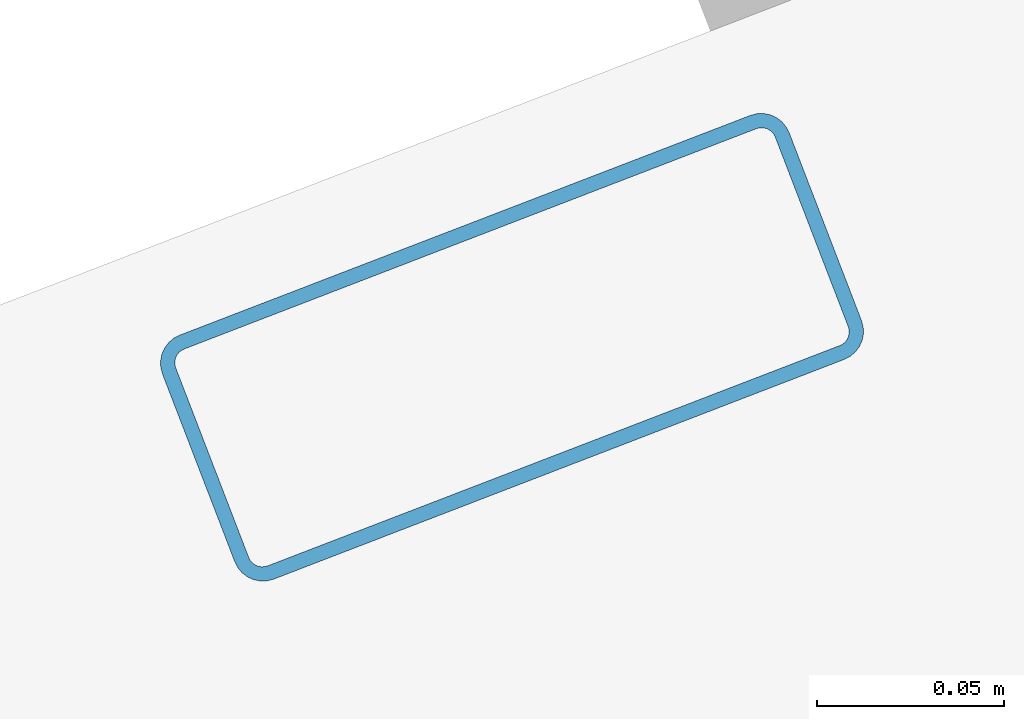
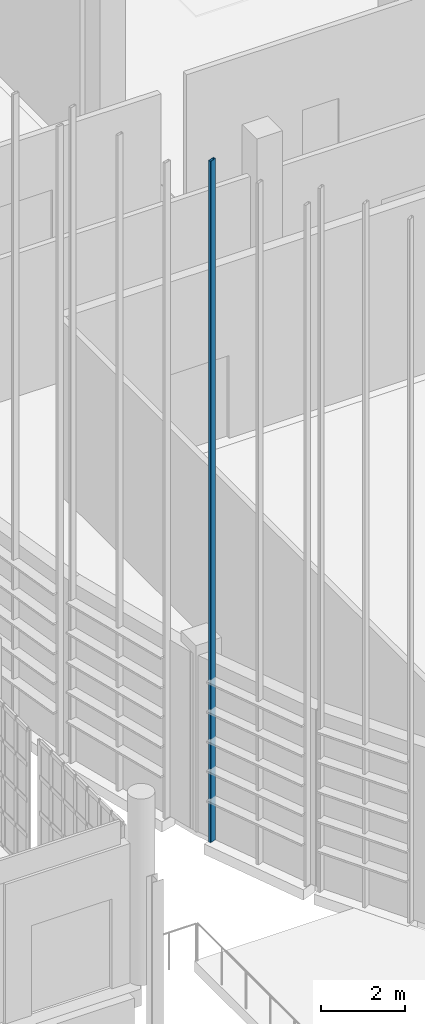
# One storey, part 168 of 372: 1 member.
"""IFC4 building model written with IfcOpenShell, lengths in metres."""

from ifc_helpers import new_model, si_unit, direction, frame, origin, origin_2d, place, context, subcontext, project, spatial, hollow_rectangle, extrude, material, material_profile, profile_set, type_object, element, save


model = new_model("IFC4")

# Units and contexts
model_context = context("Model", 3, precision=1e-05, world=origin(), true_north=direction((0.0, 1.0)))
body_context = subcontext(model_context, "Body", "Model", "MODEL_VIEW")
ifc_project = project(units=[si_unit("LENGTHUNIT", "METRE"), si_unit("AREAUNIT", "SQUARE_METRE"), si_unit("VOLUMEUNIT", "CUBIC_METRE"), si_unit("PLANEANGLEUNIT", "RADIAN"), si_unit("MASSUNIT", "GRAM", prefix="KILO")], contexts=[model_context])

# Site, building, storey
site_placement = place(None, origin())
site = spatial("IfcSite", under=ifc_project, at=site_placement, CompositionType="ELEMENT")
building_placement = place(site_placement, origin())
building = spatial("IfcBuilding", under=site, at=building_placement, Name="Kaelora Sail Theatre", CompositionType="ELEMENT")
storey_placement = place(building_placement, origin())
storey = spatial("IfcBuildingStorey", under=building, at=storey_placement, Name="L00", CompositionType="ELEMENT", Elevation=0.0)

# Member
ifc_material = material(Name="Anodised aluminium 6063-T6", Category="aluminium")
ifc_material_profile = material_profile(ifc_material, hollow_rectangle(XDim=0.070068359375, YDim=0.179931640625, WallThickness=0.00390625, InnerFilletRadius=0.00390625, OuterFilletRadius=0.008056640625, at=origin_2d()), Name="ALU-MULL 70x180x4")
ifc_profile_set = profile_set([ifc_material_profile], Name="Anodised aluminium 6063-T6")
member_type = type_object("IfcMemberType", Name="ARC-MEM-PST-160", PredefinedType="POST", material=ifc_profile_set)
member_placement = place(storey_placement, frame((78.688720703125, 42.767578125, 0.0), z_axis=(0.0, 0.0, 1.0), x_axis=(-0.359345396006, 0.933204632634, 0.0)))
element("IfcMember", 1, at=member_placement, inside=storey, type_object=member_type, Name="Studio Theatre Sail Drum solar louvre vertical support post C16-3", PredefinedType="POST", context=body_context, shape_type="SweptSolid", body=[
    extrude(hollow_rectangle(XDim=0.070068359375, YDim=0.179931640625, WallThickness=0.00390625, InnerFilletRadius=0.00390625, OuterFilletRadius=0.008056640625, at=origin_2d()), origin(), (0.0, 0.0, 1.0), 19.72119140625),
])

save(model, "model.ifc")
